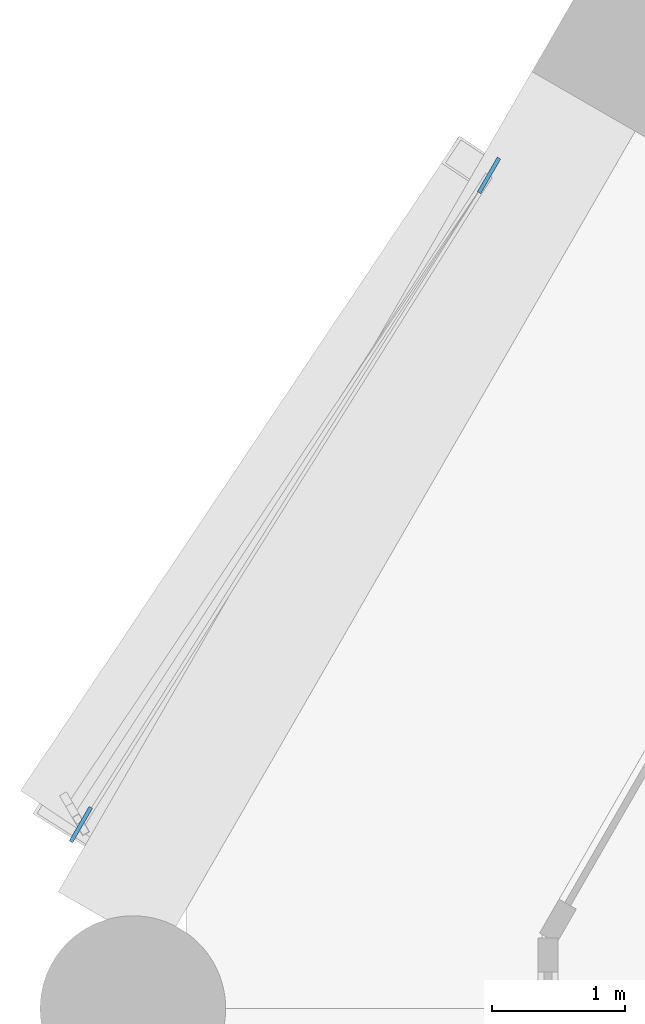
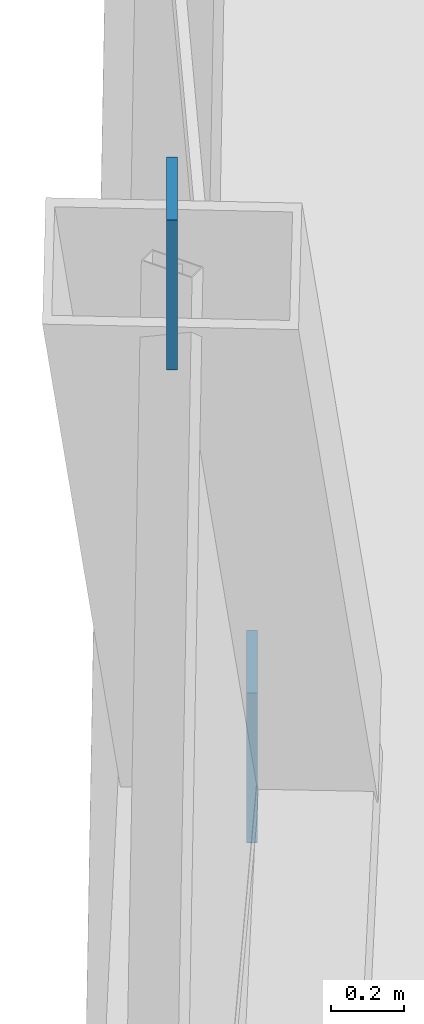
# One storey, part 33 of 35: 2 discrete accessories.
"""IFC4 building model written with IfcOpenShell, lengths in metres."""

from ifc_helpers import new_model, si_unit, direction, frame, origin, origin_2d, place, context, subcontext, project, spatial, rectangle, extrude, material, layer, layer_set, type_object, element, save


model = new_model("IFC4")

# Units and contexts
model_context = context("Model", 3, precision=1e-05, world=origin(), true_north=direction((0.0, 1.0)))
body_context = subcontext(model_context, "Body", "Model", "MODEL_VIEW")
ifc_project = project(units=[si_unit("LENGTHUNIT", "METRE"), si_unit("AREAUNIT", "SQUARE_METRE"), si_unit("VOLUMEUNIT", "CUBIC_METRE"), si_unit("PLANEANGLEUNIT", "RADIAN"), si_unit("MASSUNIT", "GRAM", prefix="KILO")], contexts=[model_context])

# Site, building, storey
site_placement = place(None, origin())
site = spatial("IfcSite", under=ifc_project, at=site_placement, CompositionType="ELEMENT")
building_placement = place(site_placement, origin())
building = spatial("IfcBuilding", under=site, at=building_placement, Name="Ostrander Bayou Hotel Tower", CompositionType="ELEMENT")
storey_placement = place(building_placement, frame((0.0, 0.0, 69.25)))
storey = spatial("IfcBuildingStorey", under=building, at=storey_placement, Name="L17", CompositionType="ELEMENT", Elevation=69.25)

# Discrete accessories
ifc_material = material(Name="Steel ASTM A572 Gr 50", Category="steel")
ifc_layer = layer(ifc_material, 0.030029296875)
ifc_layer_set = layer_set([ifc_layer], Name="GP1 gusset plate 30 mm")
discrete_accessory_type = type_object("IfcDiscreteAccessoryType", Name="GP1 gusset plate 30 mm", PredefinedType="BRACKET", material=ifc_layer_set)
for number, where, z_axis, x_axis, name in (
    (1, (-20.94189453125, 5.468505859375, 4.77490234375), (0.0, 0.0, 1.0), (-0.5, -0.866025403784, 0.0), "GP1 gusset plate lat 124"),
    (2, (-24.021484375, 0.569580078125, 10.39990234375), (0.0, 0.0, 1.0), (-0.5, -0.866025403784, 0.0), "GP1 gusset plate lat 125"),
):
    element("IfcDiscreteAccessory", number, at=place(storey_placement, frame(where, z_axis=z_axis, x_axis=x_axis)), inside=storey, type_object=discrete_accessory_type, Name=name, PredefinedType="BRACKET", context=body_context, shape_type="SweptSolid", body=[
        extrude(rectangle(XDim=0.300048828125, YDim=0.030029296875, at=origin_2d()), origin(), (0.0, 0.0, 1.0), 0.5),
    ])

save(model, "model.ifc")
